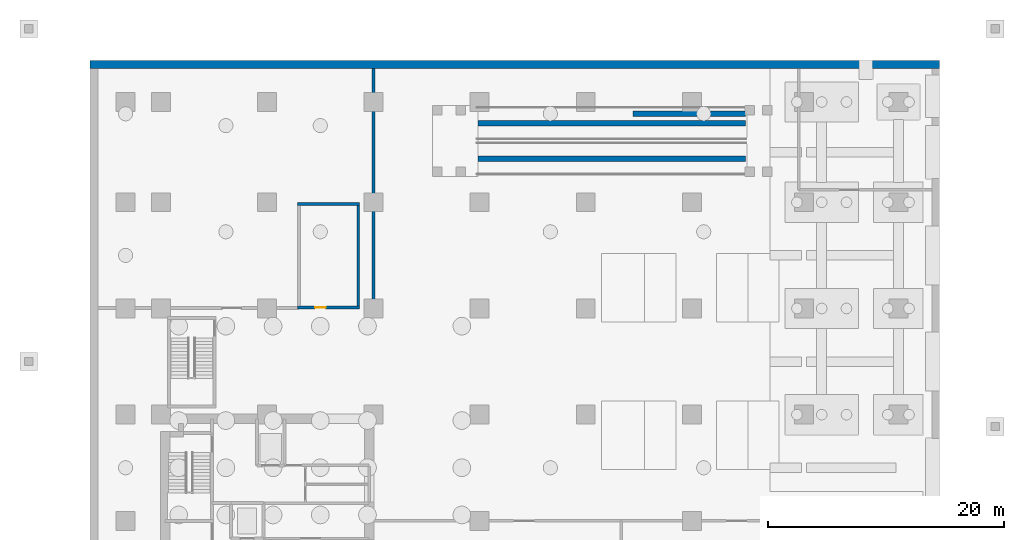
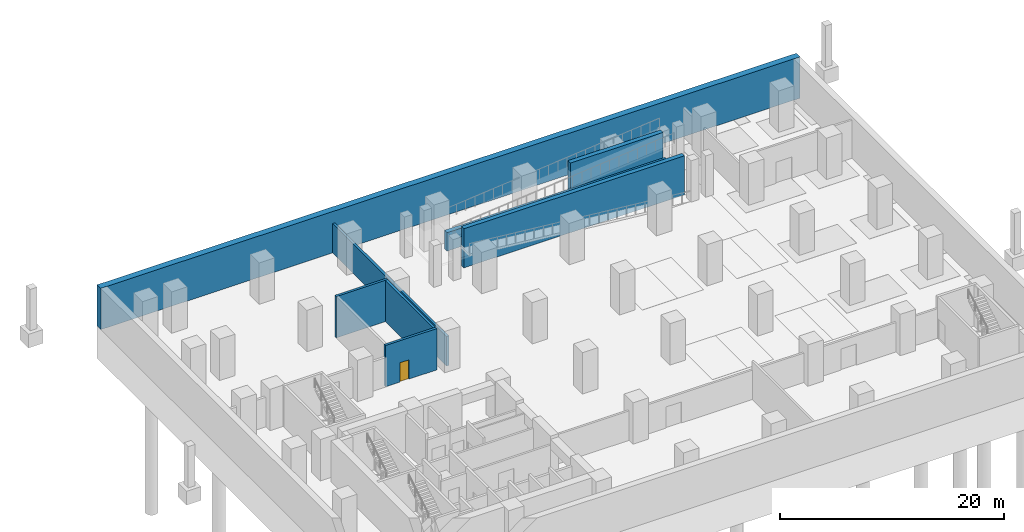
# One storey, part 6 of 10: 8 walls, 1 door, 1 opening.
"""IFC4 building model written with IfcOpenShell, lengths in metres."""

from ifc_helpers import new_model, si_unit, direction, frame, frame_2d, origin, place, context, subcontext, project, spatial, rectangle, extrude, material, layer, layer_set, type_object, element, fill, save


model = new_model("IFC4")

# Units and contexts
model_context = context("Model", 3, precision=1e-05, world=origin(), true_north=direction((0.0, 1.0)))
body_context = subcontext(model_context, "Body", "Model", "MODEL_VIEW")
ifc_project = project(units=[si_unit("LENGTHUNIT", "METRE"), si_unit("AREAUNIT", "SQUARE_METRE"), si_unit("VOLUMEUNIT", "CUBIC_METRE"), si_unit("PLANEANGLEUNIT", "RADIAN"), si_unit("MASSUNIT", "GRAM", prefix="KILO")], contexts=[model_context])

# Site, building, storey
site_placement = place(None, origin())
site = spatial("IfcSite", under=ifc_project, at=site_placement, CompositionType="ELEMENT")
building_placement = place(site_placement, origin())
building = spatial("IfcBuilding", under=site, at=building_placement, Name="Mawjdan Bourse Tower", CompositionType="ELEMENT")
storey_placement = place(building_placement, frame((0.0, 0.0, -13.5)))
storey = spatial("IfcBuildingStorey", under=building, at=storey_placement, Name="B03", CompositionType="ELEMENT", Elevation=-13.5)

# Walls
ifc_material_1 = material(Name="Concrete C60/75", Category="concrete")
ifc_layer_1 = layer(ifc_material_1, 0.449951171875)
ifc_layer_set_1 = layer_set([ifc_layer_1], Name="Concrete C60/75")
wall_type_1 = type_object("IfcWallType", Name="WL-CORE-450", PredefinedType="SHEAR", material=ifc_layer_set_1)
wall_1_placement = place(storey_placement, frame((32.85009765625, 45.699951171875, 0.0), z_axis=(0.0, 0.0, 1.0), x_axis=(1.0, 0.0, 0.0)))
element("IfcWall", 1, at=wall_1_placement, inside=storey, type_object=wall_type_1, Name="B03 Vehicle Ramp Spine Support Wall F2", PredefinedType="SHEAR", context=body_context, shape_type="SweptSolid", body=[
    extrude(rectangle(XDim=22.699951171875, YDim=0.449951171875, at=frame_2d((11.35009765625, 0.0))), origin(), (0.0, 0.0, 1.0), 2.010009765625),
])
wall_2_placement = place(storey_placement, frame((46.0, 46.5, 0.0), z_axis=(0.0, 0.0, 1.0), x_axis=(1.0, 0.0, 0.0)))
element("IfcWall", 2, at=wall_2_placement, inside=storey, type_object=wall_type_1, Name="B03 Vehicle Ramp Upper Spine Pier", PredefinedType="SHEAR", context=body_context, shape_type="SweptSolid", body=[
    extrude(rectangle(XDim=9.550048828125, YDim=0.449951171875, at=frame_2d((4.77490234375, 0.0))), origin(), (0.0, 0.0, 1.0), 4.5),
])
wall_3_placement = place(storey_placement, frame((32.85009765625, 42.699951171875, 0.0), z_axis=(0.0, 0.0, 1.0), x_axis=(1.0, 0.0, 0.0)))
element("IfcWall", 3, at=wall_3_placement, inside=storey, type_object=wall_type_1, Name="B03 Vehicle Ramp Spine Support Wall F1", PredefinedType="SHEAR", context=body_context, shape_type="SweptSolid", body=[
    extrude(rectangle(XDim=22.699951171875, YDim=0.449951171875, at=frame_2d((11.35009765625, 0.0))), origin(), (0.0, 0.0, 1.0), 4.260009765625),
])
ifc_layer_2 = layer(ifc_material_1, 0.64990234375)
ifc_layer_set_2 = layer_set([ifc_layer_2], Name="Concrete C60/75")
wall_type_2 = type_object("IfcWallType", Name="WL-RET-650", PredefinedType="USERDEFINED", material=ifc_layer_set_2)
wall_4_placement = place(storey_placement, frame((72.0, 50.675048828125, 0.0), z_axis=(0.0, 0.0, 1.0), x_axis=(-1.0, 0.0, 0.0)))
element("IfcWall", 4, at=wall_4_placement, inside=storey, type_object=wall_type_2, Name="B03 Perimeter Diaphragm Retaining Wall N", ObjectType="RETAINING", PredefinedType="USERDEFINED", context=body_context, shape_type="SweptSolid", body=[
    extrude(rectangle(XDim=72.0, YDim=0.64990234375, at=frame_2d((36.0, 0.0))), origin(), (0.0, 0.0, 1.0), 4.5),
])
ifc_material_2 = material(Name="Concrete C50/60", Category="concrete")
ifc_layer_3 = layer(ifc_material_2, 0.25)
ifc_layer_set_3 = layer_set([ifc_layer_3], Name="Concrete C50/60")
wall_type_3 = type_object("IfcWallType", Name="WL-SHFT-250", PredefinedType="PARTITIONING", material=ifc_layer_set_3)
wall_5_placement = place(storey_placement, frame((24.0, 30.050048828125, 0.0), z_axis=(0.0, 0.0, 1.0), x_axis=(0.0, 1.0, 0.0)))
element("IfcWall", 5, at=wall_5_placement, inside=storey, type_object=wall_type_3, Name="B03 Bullion Security Vault East Vault Wall", PredefinedType="PARTITIONING", context=body_context, shape_type="SweptSolid", body=[
    extrude(rectangle(XDim=20.300048828125, YDim=0.25, at=frame_2d((10.14990234375, 0.0))), origin(), (0.0, 0.0, 1.0), 3.199951171875),
])

# Wall, opening, door
ifc_layer_4 = layer(ifc_material_2, 0.25)
ifc_layer_set_4 = layer_set([ifc_layer_4], Name="Concrete C50/60")
wall_type_4 = type_object("IfcWallType", Name="WL-STRW-250", PredefinedType="SHEAR", material=ifc_layer_set_4)
wall_6_placement = place(storey_placement, frame((17.554931640625, 30.080078125, 0.0), z_axis=(0.0, 0.0, 1.0), x_axis=(1.0, 0.0, 0.0)))
wall_6 = element("IfcWall", 6, at=wall_6_placement, inside=storey, type_object=wall_type_4, Name="B03 ST4 Sub-Shaft South Wall", PredefinedType="SHEAR", context=body_context, shape_type="SweptSolid", body=[
    extrude(rectangle(XDim=5.2900390625, YDim=0.25, at=frame_2d((2.64501953125, 0.0))), origin(), (0.0, 0.0, 1.0), 4.5),
])
opening_placement = place(wall_6_placement, frame((1.5, 0.0, 0.0)))
opening = element("IfcOpeningElement", 7, at=opening_placement, cuts=wall_6, Name="Opening RD-B03-21", PredefinedType="OPENING", context=body_context, shape_type="SweptSolid", body=[
    extrude(rectangle(XDim=0.89990234375, YDim=2.10009765625, at=frame_2d((0.449951171875, 1.050048828125))), frame((0.0, 0.135009765625, 0.0), z_axis=(0.0, -1.0, 0.0), x_axis=(1.0, 0.0, 0.0)), (0.0, 0.0, 1.0), 0.27001953125),
])
ifc_material_3 = material(Name="Fire-Rated Steel Access Leaf", Category="steel")
door_type = type_object("IfcDoorType", Name="FD-RSR-0900", OperationType="NOTDEFINED", PredefinedType="TRAPDOOR", material=ifc_material_3)
door_placement = place(opening_placement, origin())
door = element("IfcDoor", 8, at=door_placement, inside=storey, type_object=door_type, Name="B03 Sub-Stair Plenum Access Door RD-B03-21", OperationType="SINGLE_SWING_LEFT", OverallHeight=2.10009765625, OverallWidth=0.89990234375, PredefinedType="TRAPDOOR", context=body_context, shape_type="SweptSolid", body=[
    extrude(rectangle(XDim=0.89990234375, YDim=2.10009765625, at=frame_2d((0.449951171875, 1.050048828125))), frame((0.0, 0.02490234375, 0.0), z_axis=(0.0, -1.0, 0.0), x_axis=(1.0, 0.0, 0.0)), (0.0, 0.0, 1.0), 0.050048828125),
])
fill(opening, door)

# Walls
wall_7_placement = place(storey_placement, frame((17.554931640625, 38.8701171875, 0.0), z_axis=(0.0, 0.0, 1.0), x_axis=(1.0, 0.0, 0.0)))
element("IfcWall", 9, at=wall_7_placement, inside=storey, type_object=wall_type_4, Name="B03 ST4 Sub-Shaft North Wall", PredefinedType="SHEAR", context=body_context, shape_type="SweptSolid", body=[
    extrude(rectangle(XDim=5.2900390625, YDim=0.25, at=frame_2d((2.64501953125, 0.0))), origin(), (0.0, 0.0, 1.0), 4.5),
])
wall_8_placement = place(storey_placement, frame((22.719970703125, 30.080078125, 0.0), z_axis=(0.0, 0.0, 1.0), x_axis=(0.0, 1.0, 0.0)))
element("IfcWall", 10, at=wall_8_placement, inside=storey, type_object=wall_type_4, Name="B03 ST4 Sub-Shaft East Wall", PredefinedType="SHEAR", context=body_context, shape_type="SweptSolid", body=[
    extrude(rectangle(XDim=8.7900390625, YDim=0.25, at=frame_2d((4.39501953125, 0.0))), origin(), (0.0, 0.0, 1.0), 4.5),
])

save(model, "model.ifc")
